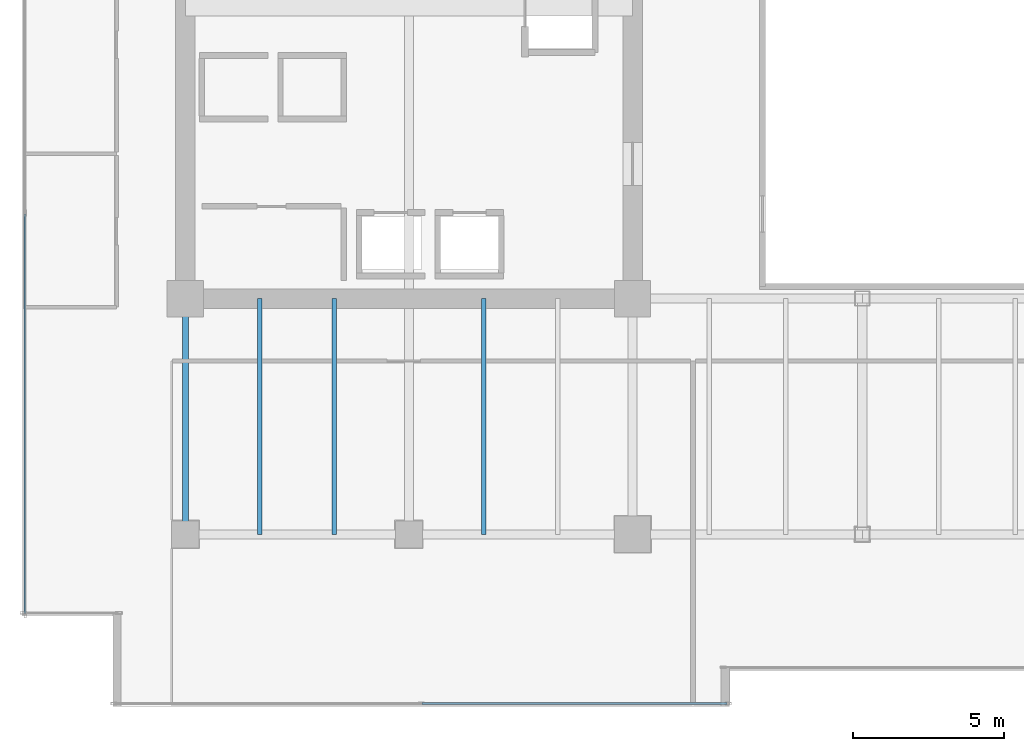
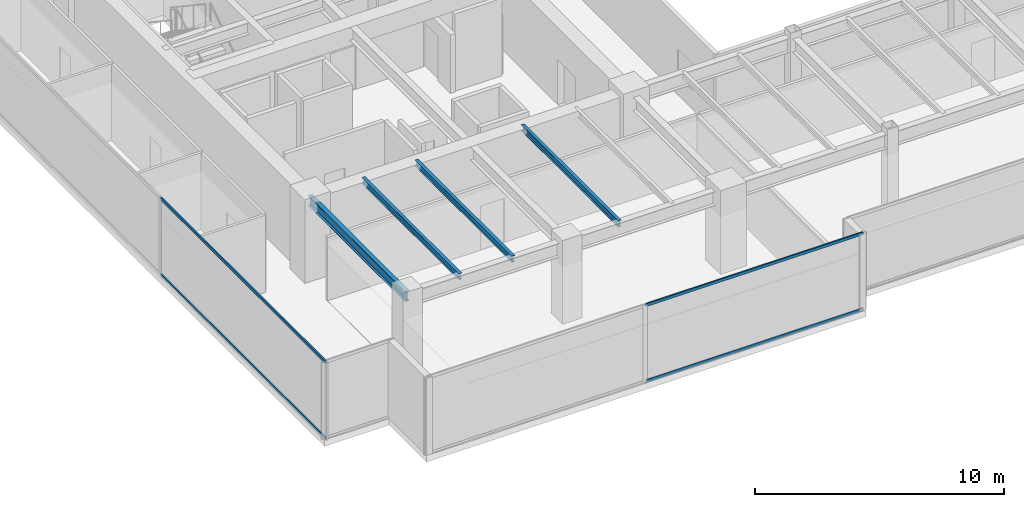
# One storey, part 3 of 33: 4 beams, 4 members, 2 elements without a shape of their own.
"""IFC4 building model written with IfcOpenShell, lengths in metres."""

import ifcopenshell
import ifcopenshell.guid

model = None  # the IFC model being written
_history = None  # IfcOwnerHistory: only IFC2X3 demands one
_inside = {}  # id of a spatial element -> (the spatial element, [elements in it])
_under = {}  # id of a project, library or spatial element -> (it, [spatial elements below it])
_declared = {}  # id of a project -> (the project, [libraries it declares])
_typed = {}  # id of a type object -> (the type object, [elements of that type])
_made_of = {}  # id of a material, layer set ... -> (it, [elements and type objects made of it])


def new_model(schema):
    """Start an empty IFC model of exactly this schema.

    Asked for "IFC4X3", IfcOpenShell would pick the latest addendum, in which some entities
    have other attributes; the version numbers below select the first issue.
    IFC2X3 requires an IfcOwnerHistory on every rooted entity: one is made here for all.
    """
    global model, _history
    if schema == "IFC4X3":
        model = ifcopenshell.file(schema_version=(4, 3, 0, 0))
    else:
        model = ifcopenshell.file(schema=schema)
    _inside.clear()
    _under.clear()
    _declared.clear()
    _typed.clear()
    _made_of.clear()
    _history = None
    if model.schema == "IFC2X3":
        org = make("IfcOrganization", Name="unknown")
        user = make(
            "IfcPersonAndOrganization",
            ThePerson=make("IfcPerson", FamilyName="unknown"),
            TheOrganization=org,
        )
        app = make(
            "IfcApplication",
            ApplicationDeveloper=org,
            Version="unknown",
            ApplicationFullName="unknown",
            ApplicationIdentifier="unknown",
        )
        _history = make(
            "IfcOwnerHistory",
            OwningUser=user,
            OwningApplication=app,
            ChangeAction="ADDED",
            CreationDate=0,
        )
    return model


def make(cls, **values):
    """One entity of the class cls with the attributes given. An attribute that is None is left unset."""
    return model.create_entity(
        cls, **{name: value for name, value in values.items() if value is not None}
    )


def rooted(cls, **values):
    """An entity with a GlobalId (a new one), such as an element, a storey or a relation."""
    return make(cls, GlobalId=ifcopenshell.guid.new(), OwnerHistory=_history, **values)


def si_unit(unit_type, name, prefix=None):
    """IfcSIUnit, for example si_unit("LENGTHUNIT", "METRE", prefix="MILLI")."""
    return make("IfcSIUnit", UnitType=unit_type, Prefix=prefix, Name=name)


def assignment(units):
    """IfcUnitAssignment: the units of a project."""
    return None if units is None else make("IfcUnitAssignment", Units=units)


def point(xyz):
    """IfcCartesianPoint."""
    return None if xyz is None else make("IfcCartesianPoint", Coordinates=xyz)


def direction(xyz):
    """IfcDirection."""
    return None if xyz is None else make("IfcDirection", DirectionRatios=xyz)


def frame(location, z_axis=None, x_axis=None):
    """IfcAxis2Placement3D, a coordinate frame: its origin and axes. An axis left out is left unset."""
    return make(
        "IfcAxis2Placement3D",
        Location=point(location),
        Axis=direction(z_axis),
        RefDirection=direction(x_axis),
    )


def frame_2d(location, x_axis=None):
    """IfcAxis2Placement2D, a coordinate frame in the plane: its origin and x axis."""
    return make(
        "IfcAxis2Placement2D", Location=point(location), RefDirection=direction(x_axis)
    )


def origin():
    """The frame at (0, 0, 0) with its axes left unset."""
    return frame((0.0, 0.0, 0.0))


def origin_2d():
    """The frame at (0, 0) in the plane with its x axis left unset."""
    return frame_2d((0.0, 0.0))


def place(relative_to, where):
    """IfcLocalPlacement: puts the frame where relative to a parent placement (None: the world)."""
    return make(
        "IfcLocalPlacement", PlacementRelTo=relative_to, RelativePlacement=where
    )


def context(
    kind, dimensions, precision=None, world=None, true_north=None, identifier=None
):
    """IfcGeometricRepresentationContext, for example the 3D "Model" context."""
    return make(
        "IfcGeometricRepresentationContext",
        ContextIdentifier=identifier,
        ContextType=kind,
        CoordinateSpaceDimension=dimensions,
        Precision=precision,
        WorldCoordinateSystem=world,
        TrueNorth=true_north,
    )


def subcontext(parent, identifier, kind, view, scale=None):
    """IfcGeometricRepresentationSubContext, for example "Body" below "Model"."""
    return make(
        "IfcGeometricRepresentationSubContext",
        ContextIdentifier=identifier,
        ContextType=kind,
        ParentContext=parent,
        TargetScale=scale,
        TargetView=view,
    )


def project(units=None, contexts=None):
    """IfcProject with its units and contexts."""
    return rooted(
        "IfcProject",
        Name="project",
        RepresentationContexts=contexts,
        UnitsInContext=assignment(units),
    )


def spatial(cls, under=None, at=None, **own):
    """A site, building, storey or space (cls), placed at a placement, below another one or the project."""
    s = rooted(cls, ObjectPlacement=at, **own)
    if under is not None:
        _under.setdefault(under.id(), (under, []))[1].append(s)
    return s


def profile(cls, at=None, kind="AREA", **sizes):
    """A parametric profile (cls). Its sizes go by their IFC names, for example OverallWidth=200.0."""
    return make(cls, ProfileType=kind, Position=at, **sizes)


def hollow_rectangle(**sizes):
    """IfcRectangleHollowProfileDef."""
    return profile("IfcRectangleHollowProfileDef", **sizes)


def i_section(**sizes):
    """IfcIShapeProfileDef."""
    return profile("IfcIShapeProfileDef", **sizes)


def extrude(swept, where, along, depth):
    """IfcExtrudedAreaSolid: the profile swept, set in the frame where, extruded along a direction by depth."""
    return make(
        "IfcExtrudedAreaSolid",
        SweptArea=swept,
        Position=where,
        ExtrudedDirection=direction(along),
        Depth=depth,
    )


def shape(context_of_items, identifier, shape_type, items):
    """IfcShapeRepresentation: the items that make up one representation, for example the "Body"."""
    return make(
        "IfcShapeRepresentation",
        ContextOfItems=context_of_items,
        RepresentationIdentifier=identifier,
        RepresentationType=shape_type,
        Items=items,
    )


def source(mapping_origin, context_of_items, identifier, shape_type, items):
    """IfcRepresentationMap: a shape defined once, which mapped items show again and again."""
    return make(
        "IfcRepresentationMap",
        MappingOrigin=mapping_origin,
        MappedRepresentation=shape(context_of_items, identifier, shape_type, items),
    )


def transform(
    local_origin,
    x_axis=None,
    y_axis=None,
    z_axis=None,
    scale=None,
    scale2=None,
    scale3=None,
    uniform=True,
):
    """IfcCartesianTransformationOperator3D, or its non-uniform kind. x_axis, y_axis, z_axis: its Axis1, 2, 3."""
    if uniform:
        return make(
            "IfcCartesianTransformationOperator3D",
            Axis1=direction(x_axis),
            Axis2=direction(y_axis),
            LocalOrigin=point(local_origin),
            Scale=scale,
            Axis3=direction(z_axis),
        )
    return make(
        "IfcCartesianTransformationOperator3DnonUniform",
        Axis1=direction(x_axis),
        Axis2=direction(y_axis),
        LocalOrigin=point(local_origin),
        Scale=scale,
        Axis3=direction(z_axis),
        Scale2=scale2,
        Scale3=scale3,
    )


def mapped(mapping_source, mapping_target):
    """IfcMappedItem: shows the shape of a source again, moved by a transform."""
    return make(
        "IfcMappedItem", MappingSource=mapping_source, MappingTarget=mapping_target
    )


def material(Name=None, Category=None):
    """IfcMaterial."""
    return make("IfcMaterial", Name=Name, Category=Category)


def layer(
    of_material, thickness, ventilated=None, Name=None, Category=None, Priority=None
):
    """IfcMaterialLayer: one layer of a wall or slab, of a material (None: an air gap)."""
    return make(
        "IfcMaterialLayer",
        Material=of_material,
        LayerThickness=thickness,
        IsVentilated=ventilated,
        Name=Name,
        Category=Category,
        Priority=Priority,
    )


def layer_set(layers, Name=None):
    """IfcMaterialLayerSet."""
    return make("IfcMaterialLayerSet", MaterialLayers=layers, LayerSetName=Name)


def material_profile(
    of_material, cross_section, Name=None, Category=None, Priority=None
):
    """IfcMaterialProfile: a cross section and its material."""
    return make(
        "IfcMaterialProfile",
        Name=Name,
        Material=of_material,
        Profile=cross_section,
        Priority=Priority,
        Category=Category,
    )


def profile_set(profiles, Name=None, composite=None):
    """IfcMaterialProfileSet."""
    return make(
        "IfcMaterialProfileSet",
        Name=Name,
        MaterialProfiles=profiles,
        CompositeProfile=composite,
    )


def made_of(thing, what):
    """Note that an element or type object is made of a material, layer set ...; save() writes the relation."""
    if what is not None:
        _made_of.setdefault(what.id(), (what, []))[1].append(thing)
    return thing


def type_object(cls, material=None, **own):
    """A type object (cls), such as IfcWallType, which elements share."""
    return made_of(rooted(cls, **own), material)


def type_shapes(of_type, sources):
    """Give a type object the sources (RepresentationMaps) that its elements show as mapped items."""
    of_type.RepresentationMaps = sources


def element(
    cls,
    number,
    at=None,
    inside=None,
    cuts=None,
    type_object=None,
    material=None,
    context=None,
    identifier="Body",
    shape_type=None,
    held_by="IfcProductDefinitionShape",
    body=None,
    shapes=None,
    **own,
):
    """One element of the class cls, such as IfcWall. Its Tag is "e" and its number.

    at: its placement. inside: the storey or other place that contains it. cuts: it is an
    opening in that element (IfcRelVoidsElement). A single representation is given by context,
    identifier, shape_type and body (its items); several are given by shapes. held_by: the class
    of the entity that holds the representations. save() writes the other relations.
    """
    e = rooted(cls, Tag="e%d" % number, ObjectPlacement=at, **own)
    if body is not None:
        shapes = [shape(context, identifier, shape_type, body)]
    if shapes is not None:
        e.Representation = make(held_by, Representations=shapes)
    if inside is not None:
        _inside.setdefault(inside.id(), (inside, []))[1].append(e)
    if cuts is not None:
        rooted(
            "IfcRelVoidsElement", RelatingBuildingElement=cuts, RelatedOpeningElement=e
        )
    if type_object is not None:
        _typed.setdefault(type_object.id(), (type_object, []))[1].append(e)
    return made_of(e, material)


def aggregate(whole, parts):
    """IfcRelAggregates: a whole, such as a stair, and the parts it consists of."""
    return rooted("IfcRelAggregates", RelatingObject=whole, RelatedObjects=parts)


def save(model, path):
    """Write the relations noted so far, then the file.

    IfcRelAggregates (storeys below a building ...), IfcRelContainedInSpatialStructure (elements
    in a storey), IfcRelDefinesByType, IfcRelAssociatesMaterial and IfcRelDeclares: one each for
    every whole, place, type object, material and project.
    """
    for whole, parts in _under.values():
        aggregate(whole, parts)
    for where, things in _inside.values():
        rooted(
            "IfcRelContainedInSpatialStructure",
            RelatedElements=things,
            RelatingStructure=where,
        )
    for kind, things in _typed.values():
        rooted("IfcRelDefinesByType", RelatedObjects=things, RelatingType=kind)
    for what, things in _made_of.values():
        rooted("IfcRelAssociatesMaterial", RelatedObjects=things, RelatingMaterial=what)
    for by, libraries in _declared.values():
        rooted("IfcRelDeclares", RelatingContext=by, RelatedDefinitions=libraries)
    model.write(path)


model = new_model("IFC4")

# Units and contexts
model_context = context("Model", 3, precision=1e-05, world=origin(), true_north=direction((0.0, 1.0)))
body_context = subcontext(model_context, "Body", "Model", "MODEL_VIEW")
ifc_project = project(units=[si_unit("LENGTHUNIT", "METRE"), si_unit("AREAUNIT", "SQUARE_METRE"), si_unit("VOLUMEUNIT", "CUBIC_METRE"), si_unit("PLANEANGLEUNIT", "RADIAN"), si_unit("MASSUNIT", "GRAM", prefix="KILO")], contexts=[model_context])

# Site, building, storey
site_placement = place(None, origin())
site = spatial("IfcSite", under=ifc_project, at=site_placement, CompositionType="ELEMENT")
building_placement = place(site_placement, origin())
building = spatial("IfcBuilding", under=site, at=building_placement, Name="Haelvirn Gate Laboratories", CompositionType="ELEMENT")
storey_placement = place(building_placement, frame((0.0, 0.0, 137.89990234375)))
storey = spatial("IfcBuildingStorey", under=building, at=storey_placement, Name="L33", CompositionType="ELEMENT", Elevation=137.89990234375)

# Beams
ifc_material_1 = material(Name="Steel SM355", Category="steel")
ifc_material_profile_1 = material_profile(ifc_material_1, i_section(OverallWidth=0.199951171875, OverallDepth=0.5, WebThickness=0.010009765625, FlangeThickness=0.01611328125, at=origin_2d()), Name="H-500x200x10x16")
ifc_profile_set_1 = profile_set([ifc_material_profile_1], Name="Steel SM355")
beam_type_1 = type_object("IfcBeamType", Name="BM-SP-500", PredefinedType="SPANDREL", material=ifc_profile_set_1)
shared_shape_1 = source(origin(), body_context, "Body", "SweptSolid", [
    extrude(i_section(OverallWidth=0.199951171875, OverallDepth=0.5, WebThickness=0.010009765625, FlangeThickness=0.01611328125, at=origin_2d()), origin(), (0.0, 0.0, 1.0), 7.800048828125),
])
type_shapes(beam_type_1, [shared_shape_1])
beam_placement = place(storey_placement, frame((7.39990234375, 7.0, 3.5400390625), z_axis=(0.0, 1.0, 0.0), x_axis=(-1.0, 0.0, 0.0)))
element("IfcBeam", 1, at=beam_placement, inside=storey, type_object=beam_type_1, Name="L33 Perimeter Spandrel X7.4 (7.0-14.8)", PredefinedType="SPANDREL", context=body_context, shape_type="MappedRepresentation", body=[
    mapped(shared_shape_1, transform((0.0, 0.0, 0.0), scale=1.0)),
])
ifc_material_profile_2 = material_profile(ifc_material_1, i_section(OverallWidth=0.14990234375, OverallDepth=0.300048828125, WebThickness=0.006591796875, FlangeThickness=0.009033203125, at=origin_2d()), Name="H-300x150x6.5x9")
ifc_profile_set_2 = profile_set([ifc_material_profile_2], Name="Steel SM355")
beam_type_2 = type_object("IfcBeamType", Name="BM-J-300", PredefinedType="JOIST", material=ifc_profile_set_2)
shared_shape_2 = source(origin(), body_context, "Body", "SweptSolid", [
    extrude(i_section(OverallWidth=0.14990234375, OverallDepth=0.300048828125, WebThickness=0.006591796875, FlangeThickness=0.009033203125, at=origin_2d()), origin(), (0.0, 0.0, 1.0), 7.800048828125),
])
type_shapes(beam_type_2, [shared_shape_2])
for number, where, z_axis, x_axis, name in (
    (2, (9.8701171875, 7.0, 3.64013671875), (0.0, 1.0, 0.0), (-1.0, 0.0, 0.0), "L33 Composite Lab Joist South X9.87"),
    (3, (12.330078125, 7.0, 3.64013671875), (0.0, 1.0, 0.0), (-1.0, 0.0, 0.0), "L33 Composite Lab Joist South X12.33"),
    (4, (17.27001953125, 7.0, 3.64013671875), (0.0, 1.0, 0.0), (-1.0, 0.0, 0.0), "L33 Composite Lab Joist South X17.27"),
):
    element("IfcBeam", number, at=place(storey_placement, frame(where, z_axis=z_axis, x_axis=x_axis)), inside=storey, type_object=beam_type_2, Name=name, PredefinedType="JOIST", context=body_context, shape_type="MappedRepresentation", body=[
        mapped(shared_shape_2, transform((0.0, 0.0, 0.0), scale=1.0)),
    ])

# Curtain wall, members
ifc_material_2 = material(Name="Anodised bronze unitised aluminium & triple low-E glass", Category="aluminium")
ifc_layer = layer(ifc_material_2, 0.179931640625, Name="CW-SYS-3")
ifc_layer_set = layer_set([ifc_layer], Name="Anodised bronze unitised aluminium & triple low-E glass")
curtain_wall_type = type_object("IfcCurtainWallType", Name="CW-SYS-3", PredefinedType="NOTDEFINED", material=ifc_layer_set)
curtain_wall_1_placement = place(storey_placement, origin())
curtain_wall_1 = element("IfcCurtainWall", 5, at=curtain_wall_1_placement, inside=storey, type_object=curtain_wall_type, Name="L33 Unitised Curtain Wall CW-L33-P0-E00-1", PredefinedType="NOTDEFINED")
ifc_material_3 = material(Name="Extruded aluminium 6063-T6 (anodised bronze)", Category="aluminium")
ifc_material_profile_3 = material_profile(ifc_material_3, hollow_rectangle(XDim=0.06494140625, YDim=0.139892578125, WallThickness=0.00390625, at=origin_2d()), Name="CWT-140x65x4")
ifc_profile_set_3 = profile_set([ifc_material_profile_3], Name="Extruded aluminium 6063-T6 (anodised bronze)")
member_type = type_object("IfcMemberType", Name="CWT-T140", PredefinedType="USERDEFINED", material=ifc_profile_set_3)
shared_shape_3 = source(origin(), body_context, "Body", "SweptSolid", [
    extrude(hollow_rectangle(XDim=0.06494140625, YDim=0.139892578125, WallThickness=0.00390625, at=origin_2d()), origin(), (0.0, 0.0, 1.0), 10.08740234375),
])
member_1_placement = place(storey_placement, frame((15.237548828125, 1.39990234375, 0.03271484375), z_axis=(1.0, 0.0, 0.0), x_axis=(0.0, 1.0, 0.0)))
member_1 = element("IfcMember", 6, at=member_1_placement, type_object=member_type, Name="CW3 transom 2.1", ObjectType="TRANSOM", PredefinedType="USERDEFINED", context=body_context, shape_type="MappedRepresentation", body=[
    mapped(shared_shape_3, transform((0.0, 0.0, 0.0), scale=1.0)),
])
member_2_placement = place(storey_placement, frame((15.237548828125, 1.39990234375, 3.757568359375), z_axis=(1.0, 0.0, 0.0), x_axis=(0.0, 1.0, 0.0)))
member_2 = element("IfcMember", 7, at=member_2_placement, type_object=member_type, Name="CW3 transom 2.2", ObjectType="TRANSOM", PredefinedType="USERDEFINED", context=body_context, shape_type="MappedRepresentation", body=[
    mapped(shared_shape_3, transform((0.0, 0.0, 0.0), scale=1.0)),
])
aggregate(curtain_wall_1, [member_1, member_2])

curtain_wall_2_placement = place(storey_placement, origin())
curtain_wall_2 = element("IfcCurtainWall", 8, at=curtain_wall_2_placement, inside=storey, type_object=curtain_wall_type, Name="L33 Unitised Curtain Wall CW-L33-P0-E17", PredefinedType="NOTDEFINED")
shared_shape_4 = source(origin(), body_context, "Body", "SweptSolid", [
    extrude(hollow_rectangle(XDim=0.06494140625, YDim=0.139892578125, WallThickness=0.00390625, at=origin_2d()), origin(), (0.0, 0.0, 1.0), 13.220947265625),
])
type_shapes(member_type, [shared_shape_3, shared_shape_4])
member_3_placement = place(storey_placement, frame((2.10009765625, 17.595947265625, 0.03271484375), z_axis=(0.0, -1.0, 0.0), x_axis=(1.0, 0.0, 0.0)))
member_3 = element("IfcMember", 9, at=member_3_placement, type_object=member_type, Name="CW3 transom 3.1", ObjectType="TRANSOM", PredefinedType="USERDEFINED", context=body_context, shape_type="MappedRepresentation", body=[
    mapped(shared_shape_4, transform((0.0, 0.0, 0.0), scale=1.0)),
])
member_4_placement = place(storey_placement, frame((2.10009765625, 17.595947265625, 3.757568359375), z_axis=(0.0, -1.0, 0.0), x_axis=(1.0, 0.0, 0.0)))
member_4 = element("IfcMember", 10, at=member_4_placement, type_object=member_type, Name="CW3 transom 3.2", ObjectType="TRANSOM", PredefinedType="USERDEFINED", context=body_context, shape_type="MappedRepresentation", body=[
    mapped(shared_shape_4, transform((0.0, 0.0, 0.0), scale=1.0)),
])
aggregate(curtain_wall_2, [member_3, member_4])

save(model, "model.ifc")
